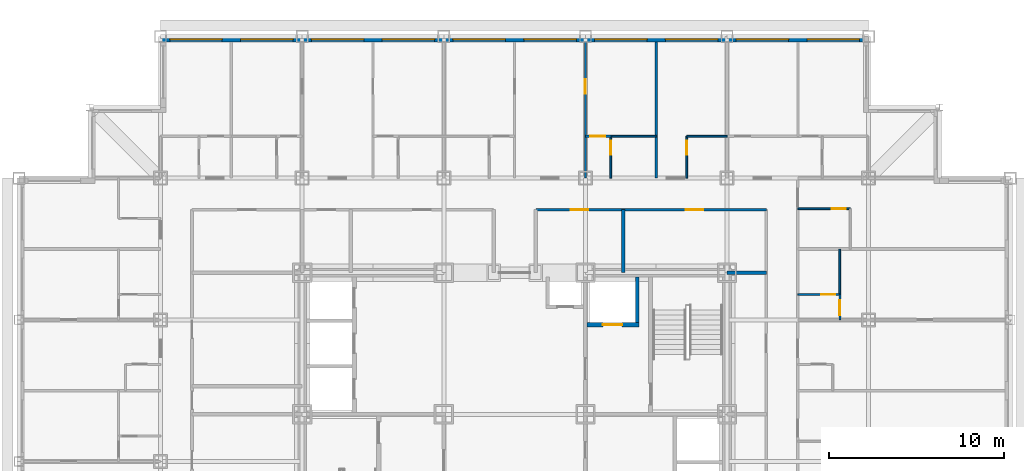
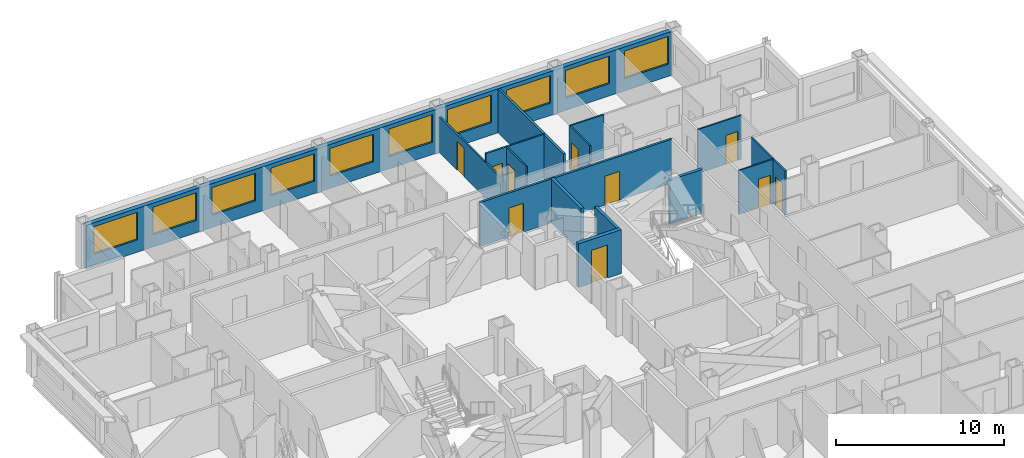
# One storey, part 11 of 13: 17 walls, 10 doors, 10 windows, 20 openings.
"""IFC4 building model written with IfcOpenShell, lengths in metres."""

import ifcopenshell
import ifcopenshell.guid

model = None  # the IFC model being written
_history = None  # IfcOwnerHistory: only IFC2X3 demands one
_inside = {}  # id of a spatial element -> (the spatial element, [elements in it])
_under = {}  # id of a project, library or spatial element -> (it, [spatial elements below it])
_declared = {}  # id of a project -> (the project, [libraries it declares])
_typed = {}  # id of a type object -> (the type object, [elements of that type])
_made_of = {}  # id of a material, layer set ... -> (it, [elements and type objects made of it])


def new_model(schema):
    """Start an empty IFC model of exactly this schema.

    Asked for "IFC4X3", IfcOpenShell would pick the latest addendum, in which some entities
    have other attributes; the version numbers below select the first issue.
    IFC2X3 requires an IfcOwnerHistory on every rooted entity: one is made here for all.
    """
    global model, _history
    if schema == "IFC4X3":
        model = ifcopenshell.file(schema_version=(4, 3, 0, 0))
    else:
        model = ifcopenshell.file(schema=schema)
    _inside.clear()
    _under.clear()
    _declared.clear()
    _typed.clear()
    _made_of.clear()
    _history = None
    if model.schema == "IFC2X3":
        org = make("IfcOrganization", Name="unknown")
        user = make(
            "IfcPersonAndOrganization",
            ThePerson=make("IfcPerson", FamilyName="unknown"),
            TheOrganization=org,
        )
        app = make(
            "IfcApplication",
            ApplicationDeveloper=org,
            Version="unknown",
            ApplicationFullName="unknown",
            ApplicationIdentifier="unknown",
        )
        _history = make(
            "IfcOwnerHistory",
            OwningUser=user,
            OwningApplication=app,
            ChangeAction="ADDED",
            CreationDate=0,
        )
    return model


def make(cls, **values):
    """One entity of the class cls with the attributes given. An attribute that is None is left unset."""
    return model.create_entity(
        cls, **{name: value for name, value in values.items() if value is not None}
    )


def rooted(cls, **values):
    """An entity with a GlobalId (a new one), such as an element, a storey or a relation."""
    return make(cls, GlobalId=ifcopenshell.guid.new(), OwnerHistory=_history, **values)


def si_unit(unit_type, name, prefix=None):
    """IfcSIUnit, for example si_unit("LENGTHUNIT", "METRE", prefix="MILLI")."""
    return make("IfcSIUnit", UnitType=unit_type, Prefix=prefix, Name=name)


def assignment(units):
    """IfcUnitAssignment: the units of a project."""
    return None if units is None else make("IfcUnitAssignment", Units=units)


def point(xyz):
    """IfcCartesianPoint."""
    return None if xyz is None else make("IfcCartesianPoint", Coordinates=xyz)


def direction(xyz):
    """IfcDirection."""
    return None if xyz is None else make("IfcDirection", DirectionRatios=xyz)


def frame(location, z_axis=None, x_axis=None):
    """IfcAxis2Placement3D, a coordinate frame: its origin and axes. An axis left out is left unset."""
    return make(
        "IfcAxis2Placement3D",
        Location=point(location),
        Axis=direction(z_axis),
        RefDirection=direction(x_axis),
    )


def frame_2d(location, x_axis=None):
    """IfcAxis2Placement2D, a coordinate frame in the plane: its origin and x axis."""
    return make(
        "IfcAxis2Placement2D", Location=point(location), RefDirection=direction(x_axis)
    )


def origin():
    """The frame at (0, 0, 0) with its axes left unset."""
    return frame((0.0, 0.0, 0.0))


def place(relative_to, where):
    """IfcLocalPlacement: puts the frame where relative to a parent placement (None: the world)."""
    return make(
        "IfcLocalPlacement", PlacementRelTo=relative_to, RelativePlacement=where
    )


def context(
    kind, dimensions, precision=None, world=None, true_north=None, identifier=None
):
    """IfcGeometricRepresentationContext, for example the 3D "Model" context."""
    return make(
        "IfcGeometricRepresentationContext",
        ContextIdentifier=identifier,
        ContextType=kind,
        CoordinateSpaceDimension=dimensions,
        Precision=precision,
        WorldCoordinateSystem=world,
        TrueNorth=true_north,
    )


def subcontext(parent, identifier, kind, view, scale=None):
    """IfcGeometricRepresentationSubContext, for example "Body" below "Model"."""
    return make(
        "IfcGeometricRepresentationSubContext",
        ContextIdentifier=identifier,
        ContextType=kind,
        ParentContext=parent,
        TargetScale=scale,
        TargetView=view,
    )


def project(units=None, contexts=None):
    """IfcProject with its units and contexts."""
    return rooted(
        "IfcProject",
        Name="project",
        RepresentationContexts=contexts,
        UnitsInContext=assignment(units),
    )


def spatial(cls, under=None, at=None, **own):
    """A site, building, storey or space (cls), placed at a placement, below another one or the project."""
    s = rooted(cls, ObjectPlacement=at, **own)
    if under is not None:
        _under.setdefault(under.id(), (under, []))[1].append(s)
    return s


def profile(cls, at=None, kind="AREA", **sizes):
    """A parametric profile (cls). Its sizes go by their IFC names, for example OverallWidth=200.0."""
    return make(cls, ProfileType=kind, Position=at, **sizes)


def rectangle(**sizes):
    """IfcRectangleProfileDef."""
    return profile("IfcRectangleProfileDef", **sizes)


def extrude(swept, where, along, depth):
    """IfcExtrudedAreaSolid: the profile swept, set in the frame where, extruded along a direction by depth."""
    return make(
        "IfcExtrudedAreaSolid",
        SweptArea=swept,
        Position=where,
        ExtrudedDirection=direction(along),
        Depth=depth,
    )


def shape(context_of_items, identifier, shape_type, items):
    """IfcShapeRepresentation: the items that make up one representation, for example the "Body"."""
    return make(
        "IfcShapeRepresentation",
        ContextOfItems=context_of_items,
        RepresentationIdentifier=identifier,
        RepresentationType=shape_type,
        Items=items,
    )


def material(Name=None, Category=None):
    """IfcMaterial."""
    return make("IfcMaterial", Name=Name, Category=Category)


def layer(
    of_material, thickness, ventilated=None, Name=None, Category=None, Priority=None
):
    """IfcMaterialLayer: one layer of a wall or slab, of a material (None: an air gap)."""
    return make(
        "IfcMaterialLayer",
        Material=of_material,
        LayerThickness=thickness,
        IsVentilated=ventilated,
        Name=Name,
        Category=Category,
        Priority=Priority,
    )


def layer_set(layers, Name=None):
    """IfcMaterialLayerSet."""
    return make("IfcMaterialLayerSet", MaterialLayers=layers, LayerSetName=Name)


def made_of(thing, what):
    """Note that an element or type object is made of a material, layer set ...; save() writes the relation."""
    if what is not None:
        _made_of.setdefault(what.id(), (what, []))[1].append(thing)
    return thing


def type_object(cls, material=None, **own):
    """A type object (cls), such as IfcWallType, which elements share."""
    return made_of(rooted(cls, **own), material)


def element(
    cls,
    number,
    at=None,
    inside=None,
    cuts=None,
    type_object=None,
    material=None,
    context=None,
    identifier="Body",
    shape_type=None,
    held_by="IfcProductDefinitionShape",
    body=None,
    shapes=None,
    **own,
):
    """One element of the class cls, such as IfcWall. Its Tag is "e" and its number.

    at: its placement. inside: the storey or other place that contains it. cuts: it is an
    opening in that element (IfcRelVoidsElement). A single representation is given by context,
    identifier, shape_type and body (its items); several are given by shapes. held_by: the class
    of the entity that holds the representations. save() writes the other relations.
    """
    e = rooted(cls, Tag="e%d" % number, ObjectPlacement=at, **own)
    if body is not None:
        shapes = [shape(context, identifier, shape_type, body)]
    if shapes is not None:
        e.Representation = make(held_by, Representations=shapes)
    if inside is not None:
        _inside.setdefault(inside.id(), (inside, []))[1].append(e)
    if cuts is not None:
        rooted(
            "IfcRelVoidsElement", RelatingBuildingElement=cuts, RelatedOpeningElement=e
        )
    if type_object is not None:
        _typed.setdefault(type_object.id(), (type_object, []))[1].append(e)
    return made_of(e, material)


def fill(opening, filler):
    """IfcRelFillsElement: the door or window that sits in an opening."""
    return rooted(
        "IfcRelFillsElement",
        RelatingOpeningElement=opening,
        RelatedBuildingElement=filler,
    )


def aggregate(whole, parts):
    """IfcRelAggregates: a whole, such as a stair, and the parts it consists of."""
    return rooted("IfcRelAggregates", RelatingObject=whole, RelatedObjects=parts)


def save(model, path):
    """Write the relations noted so far, then the file.

    IfcRelAggregates (storeys below a building ...), IfcRelContainedInSpatialStructure (elements
    in a storey), IfcRelDefinesByType, IfcRelAssociatesMaterial and IfcRelDeclares: one each for
    every whole, place, type object, material and project.
    """
    for whole, parts in _under.values():
        aggregate(whole, parts)
    for where, things in _inside.values():
        rooted(
            "IfcRelContainedInSpatialStructure",
            RelatedElements=things,
            RelatingStructure=where,
        )
    for kind, things in _typed.values():
        rooted("IfcRelDefinesByType", RelatedObjects=things, RelatingType=kind)
    for what, things in _made_of.values():
        rooted("IfcRelAssociatesMaterial", RelatedObjects=things, RelatingMaterial=what)
    for by, libraries in _declared.values():
        rooted("IfcRelDeclares", RelatingContext=by, RelatedDefinitions=libraries)
    model.write(path)


model = new_model("IFC4")

# Units and contexts
model_context = context("Model", 3, precision=1e-05, world=origin(), true_north=direction((0.0, 1.0)))
body_context = subcontext(model_context, "Body", "Model", "MODEL_VIEW")
ifc_project = project(units=[si_unit("LENGTHUNIT", "METRE"), si_unit("AREAUNIT", "SQUARE_METRE"), si_unit("VOLUMEUNIT", "CUBIC_METRE"), si_unit("PLANEANGLEUNIT", "RADIAN"), si_unit("MASSUNIT", "GRAM", prefix="KILO")], contexts=[model_context])

# Site, building, storey
site_placement = place(None, origin())
site = spatial("IfcSite", under=ifc_project, at=site_placement, CompositionType="ELEMENT")
building_placement = place(site_placement, origin())
building = spatial("IfcBuilding", under=site, at=building_placement, Name="Kopane Lantern Tower", CompositionType="ELEMENT")
storey_placement = place(building_placement, frame((0.0, 0.0, 134.0)))
storey = spatial("IfcBuildingStorey", under=building, at=storey_placement, Name="L34", CompositionType="ELEMENT", Elevation=134.0)

# Wall, opening, door
ifc_material_1 = material(Name="Gypsum board on steel studs", Category="steel")
ifc_layer_1 = layer(ifc_material_1, 0.1201171875)
ifc_layer_set_1 = layer_set([ifc_layer_1], Name="APARTMENT INTERNAL WALL 120")
wall_type_1 = type_object("IfcWallType", Name="APARTMENT INTERNAL WALL 120", PredefinedType="PARTITIONING", material=ifc_layer_set_1)
wall_1_placement = place(storey_placement, frame((32.39990234375, 45.89990234375, 0.0), z_axis=(0.0, 0.0, 1.0), x_axis=(0.0, 1.0, 0.0)))
wall_1 = element("IfcWall", 1, at=wall_1_placement, inside=storey, type_object=wall_type_1, Name="Apartment Internal Wall 120 L34", PredefinedType="PARTITIONING", context=body_context, shape_type="SweptSolid", body=[
    extrude(rectangle(XDim=7.800048828125, YDim=0.1201171875, at=frame_2d((3.89990234375, 0.0))), origin(), (0.0, 0.0, 1.0), 2.577880859375),
])
opening_1_placement = place(wall_1_placement, frame((4.824951171875, 0.0, 0.0)))
opening_1 = element("IfcOpeningElement", 2, at=opening_1_placement, cuts=wall_1, Name="Opening L34-040", PredefinedType="OPENING", context=body_context, shape_type="SweptSolid", body=[
    extrude(rectangle(XDim=0.85009765625, YDim=2.10009765625, at=frame_2d((0.425048828125, 1.050048828125))), frame((0.0, 0.070068359375, 0.0), z_axis=(0.0, -1.0, 0.0), x_axis=(1.0, 0.0, 0.0)), (0.0, 0.0, 1.0), 0.14013671875),
])
ifc_material_2 = material(Name="Timber door set", Category="wood")
door_type_1 = type_object("IfcDoorType", Name="DOOR D4 850x2100", OperationType="SINGLE_SWING_LEFT", PredefinedType="DOOR", material=ifc_material_2)
door_1_placement = place(opening_1_placement, origin())
door_1 = element("IfcDoor", 3, at=door_1_placement, inside=storey, type_object=door_type_1, Name="Door L34-040", OperationType="SINGLE_SWING_RIGHT", OverallHeight=2.10009765625, OverallWidth=0.85009765625, PredefinedType="DOOR", context=body_context, shape_type="SweptSolid", body=[
    extrude(rectangle(XDim=0.85009765625, YDim=2.10009765625, at=frame_2d((0.425048828125, 1.050048828125))), frame((0.0, 0.02490234375, 0.0), z_axis=(0.0, -1.0, 0.0), x_axis=(1.0, 0.0, 0.0)), (0.0, 0.0, 1.0), 0.050048828125),
])
fill(opening_1, door_1)

wall_2_placement = place(storey_placement, frame((32.39990234375, 48.300048828125, 0.0), z_axis=(0.0, 0.0, 1.0), x_axis=(1.0, 0.0, 0.0)))
wall_2 = element("IfcWall", 4, at=wall_2_placement, inside=storey, type_object=wall_type_1, Name="Apartment Internal Wall 120 L34", PredefinedType="PARTITIONING", context=body_context, shape_type="SweptSolid", body=[
    extrude(rectangle(XDim=1.460205078125, YDim=0.1201171875, at=frame_2d((0.72998046875, 0.0))), origin(), (0.0, 0.0, 1.0), 3.18994140625),
])
opening_2_placement = place(wall_2_placement, frame((0.27490234375, 0.0, 0.0)))
opening_2 = element("IfcOpeningElement", 5, at=opening_2_placement, cuts=wall_2, Name="Opening L34-093", PredefinedType="OPENING", context=body_context, shape_type="SweptSolid", body=[
    extrude(rectangle(XDim=0.85009765625, YDim=2.10009765625, at=frame_2d((0.425048828125, 1.050048828125))), frame((0.0, 0.070068359375, 0.0), z_axis=(0.0, -1.0, 0.0), x_axis=(1.0, 0.0, 0.0)), (0.0, 0.0, 1.0), 0.14013671875),
])
door_2_placement = place(opening_2_placement, origin())
door_2 = element("IfcDoor", 6, at=door_2_placement, inside=storey, type_object=door_type_1, Name="Door L34-093", OperationType="SINGLE_SWING_LEFT", OverallHeight=2.10009765625, OverallWidth=0.85009765625, PredefinedType="DOOR", context=body_context, shape_type="SweptSolid", body=[
    extrude(rectangle(XDim=0.85009765625, YDim=2.10009765625, at=frame_2d((0.425048828125, 1.050048828125))), frame((0.0, 0.02490234375, 0.0), z_axis=(0.0, -1.0, 0.0), x_axis=(1.0, 0.0, 0.0)), (0.0, 0.0, 1.0), 0.050048828125),
])
fill(opening_2, door_2)

wall_3_placement = place(storey_placement, frame((46.949951171875, 39.260009765625, 0.0), z_axis=(0.0, 0.0, 1.0), x_axis=(0.0, -1.0, 0.0)))
wall_3 = element("IfcWall", 7, at=wall_3_placement, inside=storey, type_object=wall_type_1, Name="Apartment Internal Wall 120 L34", PredefinedType="PARTITIONING", context=body_context, shape_type="SweptSolid", body=[
    extrude(rectangle(XDim=1.4599609375, YDim=0.1201171875, at=frame_2d((0.72998046875, 0.0))), origin(), (0.0, 0.0, 1.0), 3.18994140625),
])
opening_3_placement = place(wall_3_placement, frame((0.3349609375, 0.0, 0.0)))
opening_3 = element("IfcOpeningElement", 8, at=opening_3_placement, cuts=wall_3, Name="Opening L34-097", PredefinedType="OPENING", context=body_context, shape_type="SweptSolid", body=[
    extrude(rectangle(XDim=0.85009765625, YDim=2.10009765625, at=frame_2d((0.425048828125, 1.050048828125))), frame((0.0, 0.070068359375, 0.0), z_axis=(0.0, -1.0, 0.0), x_axis=(1.0, 0.0, 0.0)), (0.0, 0.0, 1.0), 0.14013671875),
])
door_3_placement = place(opening_3_placement, origin())
door_3 = element("IfcDoor", 9, at=door_3_placement, inside=storey, type_object=door_type_1, Name="Door L34-097", OperationType="SINGLE_SWING_RIGHT", OverallHeight=2.10009765625, OverallWidth=0.85009765625, PredefinedType="DOOR", context=body_context, shape_type="SweptSolid", body=[
    extrude(rectangle(XDim=0.85009765625, YDim=2.10009765625, at=frame_2d((0.425048828125, 1.050048828125))), frame((0.0, 0.02490234375, 0.0), z_axis=(0.0, -1.0, 0.0), x_axis=(1.0, 0.0, 0.0)), (0.0, 0.0, 1.0), 0.050048828125),
])
fill(opening_3, door_3)

# Wall
ifc_material_3 = material(Name="Moisture-resistant board on steel studs", Category="steel")
ifc_layer_2 = layer(ifc_material_3, 0.10009765625)
ifc_layer_set_2 = layer_set([ifc_layer_2], Name="BATHROOM WALL 100")
wall_type_2 = type_object("IfcWallType", Name="BATHROOM WALL 100", PredefinedType="PARTITIONING", material=ifc_layer_set_2)
wall_4_placement = place(storey_placement, frame((33.85009765625, 48.300048828125, 0.0), z_axis=(0.0, 0.0, 1.0), x_axis=(1.0, 0.0, 0.0)))
element("IfcWall", 10, at=wall_4_placement, inside=storey, type_object=wall_type_2, Name="Bathroom Wall 100 L34", PredefinedType="PARTITIONING", context=body_context, shape_type="SweptSolid", body=[
    extrude(rectangle(XDim=2.599853515625, YDim=0.10009765625, at=frame_2d((1.2998046875, 0.0))), origin(), (0.0, 0.0, 1.0), 3.18994140625),
])

# Wall, opening, door
wall_5_placement = place(storey_placement, frame((33.85009765625, 45.89990234375, 0.0), z_axis=(0.0, 0.0, 1.0), x_axis=(0.0, 1.0, 0.0)))
wall_5 = element("IfcWall", 11, at=wall_5_placement, inside=storey, type_object=wall_type_2, Name="Bathroom Wall 100 L34", PredefinedType="PARTITIONING", context=body_context, shape_type="SweptSolid", body=[
    extrude(rectangle(XDim=2.400146484375, YDim=0.10009765625, at=frame_2d((1.2001953125, 0.0))), origin(), (0.0, 0.0, 1.0), 3.18994140625),
])
opening_4_placement = place(wall_5_placement, frame((1.35009765625, 0.0, 0.0)))
opening_4 = element("IfcOpeningElement", 12, at=opening_4_placement, cuts=wall_5, Name="Opening L34-039", PredefinedType="OPENING", context=body_context, shape_type="SweptSolid", body=[
    extrude(rectangle(XDim=0.800048828125, YDim=2.10009765625, at=frame_2d((0.39990234375, 1.050048828125))), frame((0.0, 0.06005859375, 0.0), z_axis=(0.0, -1.0, 0.0), x_axis=(1.0, 0.0, 0.0)), (0.0, 0.0, 1.0), 0.1201171875),
])
ifc_material_4 = material(Name="Timber door set", Category="wood")
door_type_2 = type_object("IfcDoorType", Name="DOOR D2 800x2100", OperationType="SINGLE_SWING_LEFT", PredefinedType="DOOR", material=ifc_material_4)
door_4_placement = place(opening_4_placement, origin())
door_4 = element("IfcDoor", 13, at=door_4_placement, inside=storey, type_object=door_type_2, Name="Door L34-039", OperationType="SINGLE_SWING_RIGHT", OverallHeight=2.10009765625, OverallWidth=0.800048828125, PredefinedType="DOOR", context=body_context, shape_type="SweptSolid", body=[
    extrude(rectangle(XDim=0.800048828125, YDim=2.10009765625, at=frame_2d((0.39990234375, 1.050048828125))), frame((0.0, 0.02490234375, 0.0), z_axis=(0.0, -1.0, 0.0), x_axis=(1.0, 0.0, 0.0)), (0.0, 0.0, 1.0), 0.050048828125),
])
fill(opening_4, door_4)

# Wall
wall_6_placement = place(storey_placement, frame((38.199951171875, 48.300048828125, 0.0), z_axis=(0.0, 0.0, 1.0), x_axis=(1.0, 0.0, 0.0)))
element("IfcWall", 14, at=wall_6_placement, inside=storey, type_object=wall_type_2, Name="Bathroom Wall 100 L34", PredefinedType="PARTITIONING", context=body_context, shape_type="SweptSolid", body=[
    extrude(rectangle(XDim=2.300048828125, YDim=0.10009765625, at=frame_2d((1.14990234375, 0.0))), origin(), (0.0, 0.0, 1.0), 3.18994140625),
])

# Wall, opening, door
wall_7_placement = place(storey_placement, frame((38.199951171875, 45.89990234375, 0.0), z_axis=(0.0, 0.0, 1.0), x_axis=(0.0, 1.0, 0.0)))
wall_7 = element("IfcWall", 15, at=wall_7_placement, inside=storey, type_object=wall_type_2, Name="Bathroom Wall 100 L34", PredefinedType="PARTITIONING", context=body_context, shape_type="SweptSolid", body=[
    extrude(rectangle(XDim=2.400146484375, YDim=0.10009765625, at=frame_2d((1.2001953125, 0.0))), origin(), (0.0, 0.0, 1.0), 3.18994140625),
])
opening_5_placement = place(wall_7_placement, frame((1.35009765625, 0.0, 0.0)))
opening_5 = element("IfcOpeningElement", 16, at=opening_5_placement, cuts=wall_7, Name="Opening L34-041", PredefinedType="OPENING", context=body_context, shape_type="SweptSolid", body=[
    extrude(rectangle(XDim=0.800048828125, YDim=2.10009765625, at=frame_2d((0.39990234375, 1.050048828125))), frame((0.0, 0.06005859375, 0.0), z_axis=(0.0, -1.0, 0.0), x_axis=(1.0, 0.0, 0.0)), (0.0, 0.0, 1.0), 0.1201171875),
])
door_5_placement = place(opening_5_placement, origin())
door_5 = element("IfcDoor", 17, at=door_5_placement, inside=storey, type_object=door_type_2, Name="Door L34-041", OperationType="SINGLE_SWING_LEFT", OverallHeight=2.10009765625, OverallWidth=0.800048828125, PredefinedType="DOOR", context=body_context, shape_type="SweptSolid", body=[
    extrude(rectangle(XDim=0.800048828125, YDim=2.10009765625, at=frame_2d((0.39990234375, 1.050048828125))), frame((0.0, 0.02490234375, 0.0), z_axis=(0.0, -1.0, 0.0), x_axis=(1.0, 0.0, 0.0)), (0.0, 0.0, 1.0), 0.050048828125),
])
fill(opening_5, door_5)

# Wall
wall_8_placement = place(storey_placement, frame((46.949951171875, 39.25, 0.0), z_axis=(0.0, 0.0, 1.0), x_axis=(0.0, 1.0, 0.0)))
element("IfcWall", 18, at=wall_8_placement, inside=storey, type_object=wall_type_2, Name="Bathroom Wall 100 L34", PredefinedType="PARTITIONING", context=body_context, shape_type="SweptSolid", body=[
    extrude(rectangle(XDim=2.60009765625, YDim=0.10009765625, at=frame_2d((1.300048828125, 0.0))), origin(), (0.0, 0.0, 1.0), 3.18994140625),
])

# Wall, opening, door
wall_9_placement = place(storey_placement, frame((44.550048828125, 39.25, 0.0), z_axis=(0.0, 0.0, 1.0), x_axis=(1.0, 0.0, 0.0)))
wall_9 = element("IfcWall", 19, at=wall_9_placement, inside=storey, type_object=wall_type_2, Name="Bathroom Wall 100 L34", PredefinedType="PARTITIONING", context=body_context, shape_type="SweptSolid", body=[
    extrude(rectangle(XDim=2.39990234375, YDim=0.10009765625, at=frame_2d((1.199951171875, 0.0))), origin(), (0.0, 0.0, 1.0), 3.18994140625),
])
opening_6_placement = place(wall_9_placement, frame((1.35009765625, 0.0, 0.0)))
opening_6 = element("IfcOpeningElement", 20, at=opening_6_placement, cuts=wall_9, Name="Opening L34-066", PredefinedType="OPENING", context=body_context, shape_type="SweptSolid", body=[
    extrude(rectangle(XDim=0.800048828125, YDim=2.10009765625, at=frame_2d((0.39990234375, 1.050048828125))), frame((0.0, 0.06005859375, 0.0), z_axis=(0.0, -1.0, 0.0), x_axis=(1.0, 0.0, 0.0)), (0.0, 0.0, 1.0), 0.1201171875),
])
door_6_placement = place(opening_6_placement, origin())
door_6 = element("IfcDoor", 21, at=door_6_placement, inside=storey, type_object=door_type_2, Name="Door L34-066", OperationType="SINGLE_SWING_LEFT", OverallHeight=2.10009765625, OverallWidth=0.800048828125, PredefinedType="DOOR", context=body_context, shape_type="SweptSolid", body=[
    extrude(rectangle(XDim=0.800048828125, YDim=2.10009765625, at=frame_2d((0.39990234375, 1.050048828125))), frame((0.0, 0.02490234375, 0.0), z_axis=(0.0, -1.0, 0.0), x_axis=(1.0, 0.0, 0.0)), (0.0, 0.0, 1.0), 0.050048828125),
])
fill(opening_6, door_6)

wall_10_placement = place(storey_placement, frame((44.550048828125, 44.14990234375, 0.0), z_axis=(0.0, 0.0, 1.0), x_axis=(1.0, 0.0, 0.0)))
wall_10 = element("IfcWall", 22, at=wall_10_placement, inside=storey, type_object=wall_type_2, Name="Bathroom Wall 100 L34", PredefinedType="PARTITIONING", context=body_context, shape_type="SweptSolid", body=[
    extrude(rectangle(XDim=3.0, YDim=0.10009765625, at=frame_2d((1.5, 0.0))), origin(), (0.0, 0.0, 1.0), 3.18994140625),
])
opening_7_placement = place(wall_10_placement, frame((1.949951171875, 0.0, 0.0)))
opening_7 = element("IfcOpeningElement", 23, at=opening_7_placement, cuts=wall_10, Name="Opening L34-068", PredefinedType="OPENING", context=body_context, shape_type="SweptSolid", body=[
    extrude(rectangle(XDim=0.800048828125, YDim=2.10009765625, at=frame_2d((0.39990234375, 1.050048828125))), frame((0.0, 0.06005859375, 0.0), z_axis=(0.0, -1.0, 0.0), x_axis=(1.0, 0.0, 0.0)), (0.0, 0.0, 1.0), 0.1201171875),
])
door_7_placement = place(opening_7_placement, origin())
door_7 = element("IfcDoor", 24, at=door_7_placement, inside=storey, type_object=door_type_2, Name="Door L34-068", OperationType="SINGLE_SWING_LEFT", OverallHeight=2.10009765625, OverallWidth=0.800048828125, PredefinedType="DOOR", context=body_context, shape_type="SweptSolid", body=[
    extrude(rectangle(XDim=0.800048828125, YDim=2.10009765625, at=frame_2d((0.39990234375, 1.050048828125))), frame((0.0, 0.02490234375, 0.0), z_axis=(0.0, -1.0, 0.0), x_axis=(1.0, 0.0, 0.0)), (0.0, 0.0, 1.0), 0.050048828125),
])
fill(opening_7, door_7)

ifc_material_5 = material(Name="Gypsum shaft wall EI 120", Category="gypsum")
ifc_layer_3 = layer(ifc_material_5, 0.25)
ifc_layer_set_3 = layer_set([ifc_layer_3], Name="CORE SHAFT WALL 250 EI 120")
wall_type_3 = type_object("IfcWallType", Name="CORE SHAFT WALL 250 EI 120", PredefinedType="SOLIDWALL", material=ifc_layer_set_3)
wall_11_placement = place(storey_placement, frame((32.5, 37.52490234375, 0.0), z_axis=(0.0, 0.0, 1.0), x_axis=(1.0, 0.0, 0.0)))
wall_11 = element("IfcWall", 25, at=wall_11_placement, inside=storey, type_object=wall_type_3, Name="Core shaft wall L34 YLF2", PredefinedType="SOLIDWALL", context=body_context, shape_type="SweptSolid", body=[
    extrude(rectangle(XDim=2.949951171875, YDim=0.25, at=frame_2d((1.47509765625, 0.0))), origin(), (0.0, 0.0, 1.0), 3.18994140625),
])
opening_8_placement = place(wall_11_placement, frame((0.89990234375, 0.0, 0.0)))
opening_8 = element("IfcOpeningElement", 26, at=opening_8_placement, cuts=wall_11, Name="Opening 34.LD-LF2", PredefinedType="OPENING", context=body_context, shape_type="SweptSolid", body=[
    extrude(rectangle(XDim=1.10009765625, YDim=2.39990234375, at=frame_2d((0.550048828125, 1.199951171875))), frame((0.0, 0.135009765625, 0.0), z_axis=(0.0, -1.0, 0.0), x_axis=(1.0, 0.0, 0.0)), (0.0, 0.0, 1.0), 0.27001953125),
])
ifc_material_6 = material(Name="Steel door set", Category="steel")
door_type_3 = type_object("IfcDoorType", Name="LIFT LANDING DOOR 1100x2400 FD60", OperationType="DOUBLE_DOOR_SLIDING", PredefinedType="DOOR", material=ifc_material_6)
door_8_placement = place(opening_8_placement, origin())
door_8 = element("IfcDoor", 27, at=door_8_placement, inside=storey, type_object=door_type_3, Name="Landing door LF2 L34", OperationType="DOUBLE_DOOR_SLIDING", OverallHeight=2.39990234375, OverallWidth=1.10009765625, PredefinedType="DOOR", context=body_context, shape_type="SweptSolid", body=[
    extrude(rectangle(XDim=1.10009765625, YDim=2.39990234375, at=frame_2d((0.550048828125, 1.199951171875))), frame((0.0, 0.02490234375, 0.0), z_axis=(0.0, -1.0, 0.0), x_axis=(1.0, 0.0, 0.0)), (0.0, 0.0, 1.0), 0.050048828125),
])
fill(opening_8, door_8)

# Wall, openings, doors
ifc_material_7 = material(Name="Gypsum board on steel studs", Category="steel")
ifc_layer_4 = layer(ifc_material_7, 0.14990234375)
ifc_layer_set_4 = layer_set([ifc_layer_4], Name="CORRIDOR WALL 150 EI 60")
wall_type_4 = type_object("IfcWallType", Name="CORRIDOR WALL 150 EI 60", PredefinedType="PARTITIONING", material=ifc_layer_set_4)
wall_12_placement = place(storey_placement, frame((42.75, 44.10009765625, 0.0), z_axis=(0.0, 0.0, 1.0), x_axis=(-1.0, 0.0, 0.0)))
wall_12 = element("IfcWall", 28, at=wall_12_placement, inside=storey, type_object=wall_type_4, Name="Corridor Wall 150 Ei 60 L34", PredefinedType="PARTITIONING", context=body_context, shape_type="SweptSolid", body=[
    extrude(rectangle(XDim=13.18994140625, YDim=0.14990234375, at=frame_2d((6.594970703125, 0.0))), origin(), (0.0, 0.0, 1.0), 3.18994140625),
])
opening_9_placement = place(wall_12_placement, frame((10.199951171875, 0.0, 0.0)))
opening_9 = element("IfcOpeningElement", 29, at=opening_9_placement, cuts=wall_12, Name="Opening L34-016", PredefinedType="OPENING", context=body_context, shape_type="SweptSolid", body=[
    extrude(rectangle(XDim=1.0, YDim=2.10009765625, at=frame_2d((0.5, 1.050048828125))), frame((0.0, 0.0849609375, 0.0), z_axis=(0.0, -1.0, 0.0), x_axis=(1.0, 0.0, 0.0)), (0.0, 0.0, 1.0), 0.169921875),
])
opening_10_placement = place(wall_12_placement, frame((3.60009765625, 0.0, 0.0)))
opening_10 = element("IfcOpeningElement", 30, at=opening_10_placement, cuts=wall_12, Name="Opening L34-017", PredefinedType="OPENING", context=body_context, shape_type="SweptSolid", body=[
    extrude(rectangle(XDim=1.0, YDim=2.10009765625, at=frame_2d((0.5, 1.050048828125))), frame((0.0, 0.0849609375, 0.0), z_axis=(0.0, -1.0, 0.0), x_axis=(1.0, 0.0, 0.0)), (0.0, 0.0, 1.0), 0.169921875),
])
ifc_material_8 = material(Name="Steel door set", Category="steel")
door_type_4 = type_object("IfcDoorType", Name="DOOR D5 1000x2100 FD60", OperationType="SINGLE_SWING_LEFT", PredefinedType="DOOR", material=ifc_material_8)
door_9_placement = place(opening_9_placement, origin())
door_9 = element("IfcDoor", 31, at=door_9_placement, inside=storey, type_object=door_type_4, Name="Door L34-016", OperationType="SINGLE_SWING_RIGHT", OverallHeight=2.10009765625, OverallWidth=1.0, PredefinedType="DOOR", context=body_context, shape_type="SweptSolid", body=[
    extrude(rectangle(XDim=1.0, YDim=2.10009765625, at=frame_2d((0.5, 1.050048828125))), frame((0.0, 0.02490234375, 0.0), z_axis=(0.0, -1.0, 0.0), x_axis=(1.0, 0.0, 0.0)), (0.0, 0.0, 1.0), 0.050048828125),
])
fill(opening_9, door_9)
door_10_placement = place(opening_10_placement, origin())
door_10 = element("IfcDoor", 32, at=door_10_placement, inside=storey, type_object=door_type_4, Name="Door L34-017", OperationType="SINGLE_SWING_LEFT", OverallHeight=2.10009765625, OverallWidth=1.0, PredefinedType="DOOR", context=body_context, shape_type="SweptSolid", body=[
    extrude(rectangle(XDim=1.0, YDim=2.10009765625, at=frame_2d((0.5, 1.050048828125))), frame((0.0, 0.02490234375, 0.0), z_axis=(0.0, -1.0, 0.0), x_axis=(1.0, 0.0, 0.0)), (0.0, 0.0, 1.0), 0.050048828125),
])
fill(opening_10, door_10)

# Wall
ifc_material_9 = material(Name="Gypsum board on steel studs", Category="steel")
ifc_layer_5 = layer(ifc_material_9, 0.14990234375)
ifc_layer_set_5 = layer_set([ifc_layer_5], Name="DEMISING WALL 150 EI 60")
wall_type_5 = type_object("IfcWallType", Name="DEMISING WALL 150 EI 60", PredefinedType="PARTITIONING", material=ifc_layer_set_5)
wall_13_placement = place(storey_placement, frame((36.449951171875, 45.89990234375, 0.0), z_axis=(0.0, 0.0, 1.0), x_axis=(0.0, 1.0, 0.0)))
element("IfcWall", 33, at=wall_13_placement, inside=storey, type_object=wall_type_5, Name="Demising Wall 150 Ei 60 L34", PredefinedType="PARTITIONING", context=body_context, shape_type="SweptSolid", body=[
    extrude(rectangle(XDim=7.800048828125, YDim=0.14990234375, at=frame_2d((3.89990234375, 0.0))), origin(), (0.0, 0.0, 1.0), 3.18994140625),
])

# Wall, openings, windows
ifc_material_10 = material(Name="Terracotta rainscreen on light steel framing", Category="masonry")
ifc_layer_6 = layer(ifc_material_10, 0.300048828125)
ifc_layer_set_6 = layer_set([ifc_layer_6], Name="EXTERNAL WALL EW1 300 TERRACOTTA")
wall_type_6 = type_object("IfcWallType", Name="EXTERNAL WALL EW1 300 TERRACOTTA", PredefinedType="SOLIDWALL", material=ifc_layer_set_6)
wall_14_placement = place(storey_placement, frame((48.300048828125, 53.85009765625, 0.0), z_axis=(0.0, 0.0, 1.0), x_axis=(-1.0, 0.0, 0.0)))
wall_14 = element("IfcWall", 34, at=wall_14_placement, inside=storey, type_object=wall_type_6, Name="External wall N L34", PredefinedType="SOLIDWALL", context=body_context, shape_type="SweptSolid", body=[
    extrude(rectangle(XDim=40.199951171875, YDim=0.300048828125, at=frame_2d((20.10009765625, 0.0))), origin(), (0.0, 0.0, 1.0), 3.18994140625),
])
opening_11_placement = place(wall_14_placement, frame((0.22509765625, 0.0, 0.89990234375)))
opening_11 = element("IfcOpeningElement", 35, at=opening_11_placement, cuts=wall_14, Name="Opening WR300200", PredefinedType="OPENING", context=body_context, shape_type="SweptSolid", body=[
    extrude(rectangle(XDim=3.0, YDim=2.0, at=frame_2d((1.5, 1.0))), frame((0.0, 0.159912109375, 0.0), z_axis=(0.0, -1.0, 0.0), x_axis=(1.0, 0.0, 0.0)), (0.0, 0.0, 1.0), 0.320068359375),
])
opening_12_placement = place(wall_14_placement, frame((4.27490234375, 0.0, 0.89990234375)))
opening_12 = element("IfcOpeningElement", 36, at=opening_12_placement, cuts=wall_14, Name="Opening WR300200", PredefinedType="OPENING", context=body_context, shape_type="SweptSolid", body=[
    extrude(rectangle(XDim=3.0, YDim=2.0, at=frame_2d((1.5, 1.0))), frame((0.0, 0.159912109375, 0.0), z_axis=(0.0, -1.0, 0.0), x_axis=(1.0, 0.0, 0.0)), (0.0, 0.0, 1.0), 0.320068359375),
])
opening_13_placement = place(wall_14_placement, frame((8.324951171875, 0.0, 0.89990234375)))
opening_13 = element("IfcOpeningElement", 37, at=opening_13_placement, cuts=wall_14, Name="Opening WR300200", PredefinedType="OPENING", context=body_context, shape_type="SweptSolid", body=[
    extrude(rectangle(XDim=3.0, YDim=2.0, at=frame_2d((1.5, 1.0))), frame((0.0, 0.159912109375, 0.0), z_axis=(0.0, -1.0, 0.0), x_axis=(1.0, 0.0, 0.0)), (0.0, 0.0, 1.0), 0.320068359375),
])
opening_14_placement = place(wall_14_placement, frame((12.375, 0.0, 0.89990234375)))
opening_14 = element("IfcOpeningElement", 38, at=opening_14_placement, cuts=wall_14, Name="Opening WR300200", PredefinedType="OPENING", context=body_context, shape_type="SweptSolid", body=[
    extrude(rectangle(XDim=3.0, YDim=2.0, at=frame_2d((1.5, 1.0))), frame((0.0, 0.159912109375, 0.0), z_axis=(0.0, -1.0, 0.0), x_axis=(1.0, 0.0, 0.0)), (0.0, 0.0, 1.0), 0.320068359375),
])
opening_15_placement = place(wall_14_placement, frame((16.425048828125, 0.0, 0.89990234375)))
opening_15 = element("IfcOpeningElement", 39, at=opening_15_placement, cuts=wall_14, Name="Opening WR300200", PredefinedType="OPENING", context=body_context, shape_type="SweptSolid", body=[
    extrude(rectangle(XDim=3.0, YDim=2.0, at=frame_2d((1.5, 1.0))), frame((0.0, 0.159912109375, 0.0), z_axis=(0.0, -1.0, 0.0), x_axis=(1.0, 0.0, 0.0)), (0.0, 0.0, 1.0), 0.320068359375),
])
opening_16_placement = place(wall_14_placement, frame((20.47509765625, 0.0, 0.89990234375)))
opening_16 = element("IfcOpeningElement", 40, at=opening_16_placement, cuts=wall_14, Name="Opening WR300200", PredefinedType="OPENING", context=body_context, shape_type="SweptSolid", body=[
    extrude(rectangle(XDim=3.0, YDim=2.0, at=frame_2d((1.5, 1.0))), frame((0.0, 0.159912109375, 0.0), z_axis=(0.0, -1.0, 0.0), x_axis=(1.0, 0.0, 0.0)), (0.0, 0.0, 1.0), 0.320068359375),
])
opening_17_placement = place(wall_14_placement, frame((24.52490234375, 0.0, 0.89990234375)))
opening_17 = element("IfcOpeningElement", 41, at=opening_17_placement, cuts=wall_14, Name="Opening WR300200", PredefinedType="OPENING", context=body_context, shape_type="SweptSolid", body=[
    extrude(rectangle(XDim=3.0, YDim=2.0, at=frame_2d((1.5, 1.0))), frame((0.0, 0.159912109375, 0.0), z_axis=(0.0, -1.0, 0.0), x_axis=(1.0, 0.0, 0.0)), (0.0, 0.0, 1.0), 0.320068359375),
])
opening_18_placement = place(wall_14_placement, frame((28.574951171875, 0.0, 0.89990234375)))
opening_18 = element("IfcOpeningElement", 42, at=opening_18_placement, cuts=wall_14, Name="Opening WR300200", PredefinedType="OPENING", context=body_context, shape_type="SweptSolid", body=[
    extrude(rectangle(XDim=3.0, YDim=2.0, at=frame_2d((1.5, 1.0))), frame((0.0, 0.159912109375, 0.0), z_axis=(0.0, -1.0, 0.0), x_axis=(1.0, 0.0, 0.0)), (0.0, 0.0, 1.0), 0.320068359375),
])
opening_19_placement = place(wall_14_placement, frame((32.625, 0.0, 0.89990234375)))
opening_19 = element("IfcOpeningElement", 43, at=opening_19_placement, cuts=wall_14, Name="Opening WR300200", PredefinedType="OPENING", context=body_context, shape_type="SweptSolid", body=[
    extrude(rectangle(XDim=3.0, YDim=2.0, at=frame_2d((1.5, 1.0))), frame((0.0, 0.159912109375, 0.0), z_axis=(0.0, -1.0, 0.0), x_axis=(1.0, 0.0, 0.0)), (0.0, 0.0, 1.0), 0.320068359375),
])
opening_20_placement = place(wall_14_placement, frame((36.675048828125, 0.0, 0.89990234375)))
opening_20 = element("IfcOpeningElement", 44, at=opening_20_placement, cuts=wall_14, Name="Opening WR300200", PredefinedType="OPENING", context=body_context, shape_type="SweptSolid", body=[
    extrude(rectangle(XDim=3.0, YDim=2.0, at=frame_2d((1.5, 1.0))), frame((0.0, 0.159912109375, 0.0), z_axis=(0.0, -1.0, 0.0), x_axis=(1.0, 0.0, 0.0)), (0.0, 0.0, 1.0), 0.320068359375),
])
ifc_material_11 = material(Name="Aluminium and clear glass", Category="aluminium")
window_type = type_object("IfcWindowType", Name="RIBBON WINDOW WR300200 3000x2000", PartitioningType="SINGLE_PANEL", PredefinedType="WINDOW", material=ifc_material_11)
window_1_placement = place(opening_11_placement, origin())
window_1 = element("IfcWindow", 45, at=window_1_placement, inside=storey, type_object=window_type, Name="Window N L34", OverallHeight=2.0, OverallWidth=3.0, PartitioningType="SINGLE_PANEL", PredefinedType="WINDOW", context=body_context, shape_type="SweptSolid", body=[
    extrude(rectangle(XDim=3.0, YDim=2.0, at=frame_2d((1.5, 1.0))), frame((0.0, 0.030029296875, 0.0), z_axis=(0.0, -1.0, 0.0), x_axis=(1.0, 0.0, 0.0)), (0.0, 0.0, 1.0), 0.06005859375),
])
fill(opening_11, window_1)
window_2_placement = place(opening_12_placement, origin())
window_2 = element("IfcWindow", 46, at=window_2_placement, inside=storey, type_object=window_type, Name="Window N L34", OverallHeight=2.0, OverallWidth=3.0, PartitioningType="SINGLE_PANEL", PredefinedType="WINDOW", context=body_context, shape_type="SweptSolid", body=[
    extrude(rectangle(XDim=3.0, YDim=2.0, at=frame_2d((1.5, 1.0))), frame((0.0, 0.030029296875, 0.0), z_axis=(0.0, -1.0, 0.0), x_axis=(1.0, 0.0, 0.0)), (0.0, 0.0, 1.0), 0.06005859375),
])
fill(opening_12, window_2)
window_3_placement = place(opening_13_placement, origin())
window_3 = element("IfcWindow", 47, at=window_3_placement, inside=storey, type_object=window_type, Name="Window N L34", OverallHeight=2.0, OverallWidth=3.0, PartitioningType="SINGLE_PANEL", PredefinedType="WINDOW", context=body_context, shape_type="SweptSolid", body=[
    extrude(rectangle(XDim=3.0, YDim=2.0, at=frame_2d((1.5, 1.0))), frame((0.0, 0.030029296875, 0.0), z_axis=(0.0, -1.0, 0.0), x_axis=(1.0, 0.0, 0.0)), (0.0, 0.0, 1.0), 0.06005859375),
])
fill(opening_13, window_3)
window_4_placement = place(opening_14_placement, origin())
window_4 = element("IfcWindow", 48, at=window_4_placement, inside=storey, type_object=window_type, Name="Window N L34", OverallHeight=2.0, OverallWidth=3.0, PartitioningType="SINGLE_PANEL", PredefinedType="WINDOW", context=body_context, shape_type="SweptSolid", body=[
    extrude(rectangle(XDim=3.0, YDim=2.0, at=frame_2d((1.5, 1.0))), frame((0.0, 0.030029296875, 0.0), z_axis=(0.0, -1.0, 0.0), x_axis=(1.0, 0.0, 0.0)), (0.0, 0.0, 1.0), 0.06005859375),
])
fill(opening_14, window_4)
window_5_placement = place(opening_15_placement, origin())
window_5 = element("IfcWindow", 49, at=window_5_placement, inside=storey, type_object=window_type, Name="Window N L34", OverallHeight=2.0, OverallWidth=3.0, PartitioningType="SINGLE_PANEL", PredefinedType="WINDOW", context=body_context, shape_type="SweptSolid", body=[
    extrude(rectangle(XDim=3.0, YDim=2.0, at=frame_2d((1.5, 1.0))), frame((0.0, 0.030029296875, 0.0), z_axis=(0.0, -1.0, 0.0), x_axis=(1.0, 0.0, 0.0)), (0.0, 0.0, 1.0), 0.06005859375),
])
fill(opening_15, window_5)
window_6_placement = place(opening_16_placement, origin())
window_6 = element("IfcWindow", 50, at=window_6_placement, inside=storey, type_object=window_type, Name="Window N L34", OverallHeight=2.0, OverallWidth=3.0, PartitioningType="SINGLE_PANEL", PredefinedType="WINDOW", context=body_context, shape_type="SweptSolid", body=[
    extrude(rectangle(XDim=3.0, YDim=2.0, at=frame_2d((1.5, 1.0))), frame((0.0, 0.030029296875, 0.0), z_axis=(0.0, -1.0, 0.0), x_axis=(1.0, 0.0, 0.0)), (0.0, 0.0, 1.0), 0.06005859375),
])
fill(opening_16, window_6)
window_7_placement = place(opening_17_placement, origin())
window_7 = element("IfcWindow", 51, at=window_7_placement, inside=storey, type_object=window_type, Name="Window N L34", OverallHeight=2.0, OverallWidth=3.0, PartitioningType="SINGLE_PANEL", PredefinedType="WINDOW", context=body_context, shape_type="SweptSolid", body=[
    extrude(rectangle(XDim=3.0, YDim=2.0, at=frame_2d((1.5, 1.0))), frame((0.0, 0.030029296875, 0.0), z_axis=(0.0, -1.0, 0.0), x_axis=(1.0, 0.0, 0.0)), (0.0, 0.0, 1.0), 0.06005859375),
])
fill(opening_17, window_7)
window_8_placement = place(opening_18_placement, origin())
window_8 = element("IfcWindow", 52, at=window_8_placement, inside=storey, type_object=window_type, Name="Window N L34", OverallHeight=2.0, OverallWidth=3.0, PartitioningType="SINGLE_PANEL", PredefinedType="WINDOW", context=body_context, shape_type="SweptSolid", body=[
    extrude(rectangle(XDim=3.0, YDim=2.0, at=frame_2d((1.5, 1.0))), frame((0.0, 0.030029296875, 0.0), z_axis=(0.0, -1.0, 0.0), x_axis=(1.0, 0.0, 0.0)), (0.0, 0.0, 1.0), 0.06005859375),
])
fill(opening_18, window_8)
window_9_placement = place(opening_19_placement, origin())
window_9 = element("IfcWindow", 53, at=window_9_placement, inside=storey, type_object=window_type, Name="Window N L34", OverallHeight=2.0, OverallWidth=3.0, PartitioningType="SINGLE_PANEL", PredefinedType="WINDOW", context=body_context, shape_type="SweptSolid", body=[
    extrude(rectangle(XDim=3.0, YDim=2.0, at=frame_2d((1.5, 1.0))), frame((0.0, 0.030029296875, 0.0), z_axis=(0.0, -1.0, 0.0), x_axis=(1.0, 0.0, 0.0)), (0.0, 0.0, 1.0), 0.06005859375),
])
fill(opening_19, window_9)
window_10_placement = place(opening_20_placement, origin())
window_10 = element("IfcWindow", 54, at=window_10_placement, inside=storey, type_object=window_type, Name="Window N L34", OverallHeight=2.0, OverallWidth=3.0, PartitioningType="SINGLE_PANEL", PredefinedType="WINDOW", context=body_context, shape_type="SweptSolid", body=[
    extrude(rectangle(XDim=3.0, YDim=2.0, at=frame_2d((1.5, 1.0))), frame((0.0, 0.030029296875, 0.0), z_axis=(0.0, -1.0, 0.0), x_axis=(1.0, 0.0, 0.0)), (0.0, 0.0, 1.0), 0.06005859375),
])
fill(opening_20, window_10)

# Walls
ifc_material_12 = material(Name="Concrete masonry", Category="masonry")
ifc_layer_7 = layer(ifc_material_12, 0.199951171875)
ifc_layer_set_7 = layer_set([ifc_layer_7], Name="PLANT ROOM WALL 200 EI 120")
wall_type_7 = type_object("IfcWallType", Name="PLANT ROOM WALL 200 EI 120", PredefinedType="SOLIDWALL", material=ifc_layer_set_7)
wall_15_placement = place(storey_placement, frame((34.550048828125, 44.10009765625, 0.0), z_axis=(0.0, 0.0, 1.0), x_axis=(0.0, -1.0, 0.0)))
element("IfcWall", 55, at=wall_15_placement, inside=storey, type_object=wall_type_7, Name="Plant Room Wall 200 Ei 120 L34", PredefinedType="SOLIDWALL", context=body_context, shape_type="SweptSolid", body=[
    extrude(rectangle(XDim=3.60009765625, YDim=0.199951171875, at=frame_2d((1.800048828125, 0.0))), origin(), (0.0, 0.0, 1.0), 3.18994140625),
])
wall_16_placement = place(storey_placement, frame((40.5, 40.5, 0.0), z_axis=(0.0, 0.0, 1.0), x_axis=(1.0, 0.0, 0.0)))
element("IfcWall", 56, at=wall_16_placement, inside=storey, type_object=wall_type_7, Name="Plant Room Wall 200 Ei 120 L34", PredefinedType="SOLIDWALL", context=body_context, shape_type="SweptSolid", body=[
    extrude(rectangle(XDim=2.25, YDim=0.199951171875, at=frame_2d((1.125, 0.0))), origin(), (0.0, 0.0, 1.0), 3.18994140625),
])
ifc_material_13 = material(Name="Gypsum shaft wall EI 120", Category="gypsum")
ifc_layer_8 = layer(ifc_material_13, 0.199951171875)
ifc_layer_set_8 = layer_set([ifc_layer_8], Name="SHAFT WALL 200 EI 120")
wall_type_8 = type_object("IfcWallType", Name="SHAFT WALL 200 EI 120", PredefinedType="SOLIDWALL", material=ifc_layer_set_8)
wall_17_placement = place(storey_placement, frame((35.35009765625, 37.64990234375, 0.0), z_axis=(0.0, 0.0, 1.0), x_axis=(0.0, 1.0, 0.0)))
element("IfcWall", 57, at=wall_17_placement, inside=storey, type_object=wall_type_8, Name="Core shaft wall L34 XLF2", PredefinedType="SOLIDWALL", context=body_context, shape_type="SweptSolid", body=[
    extrude(rectangle(XDim=2.60009765625, YDim=0.199951171875, at=frame_2d((1.300048828125, 0.0))), origin(), (0.0, 0.0, 1.0), 3.18994140625),
])

save(model, "model.ifc")
